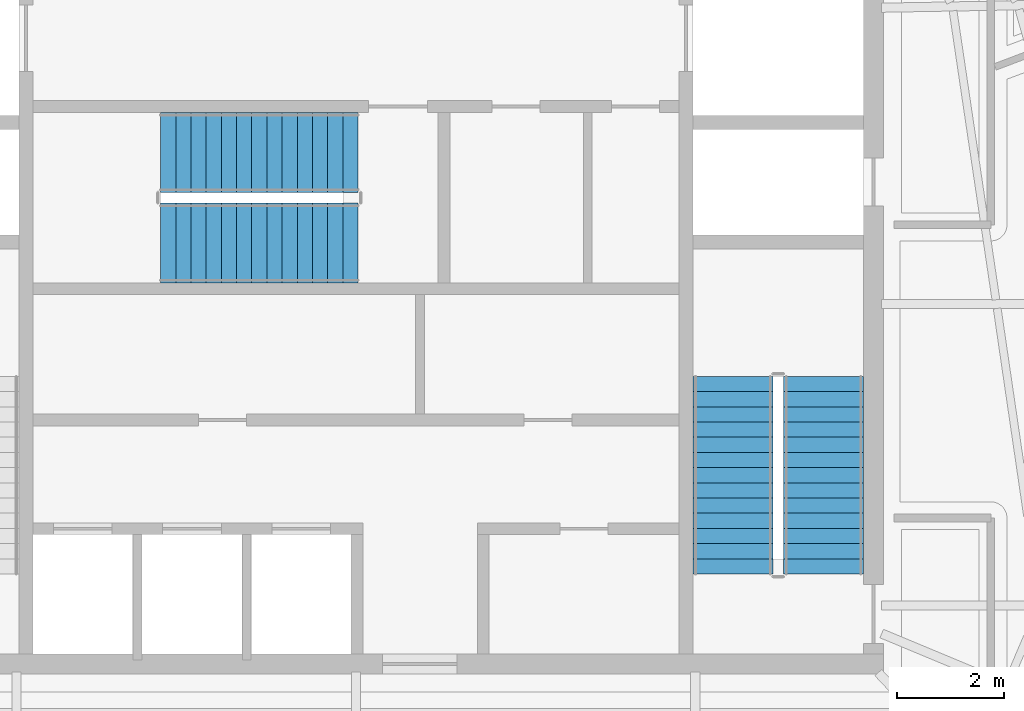
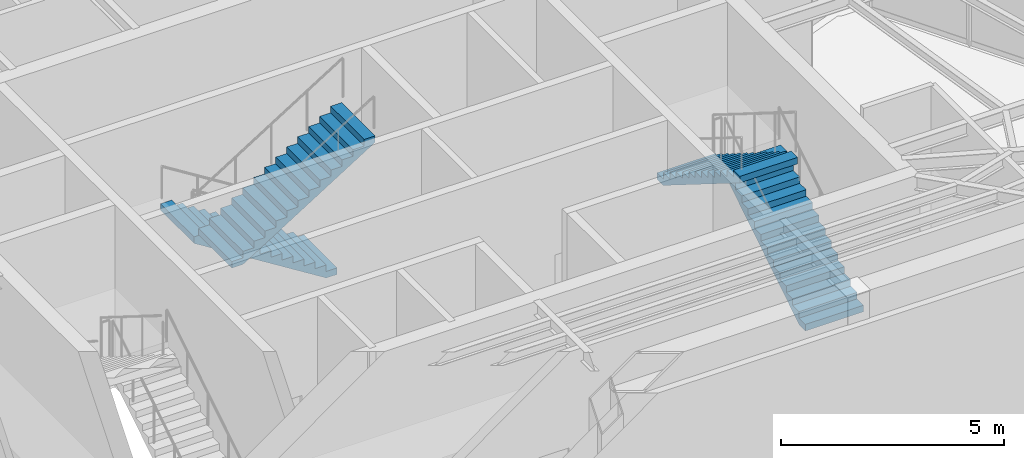
# One storey, part 11 of 15: 4 stair flights, 2 elements without a shape of their own.
"""IFC4 building model written with IfcOpenShell, lengths in metres."""

from ifc_helpers import new_model, si_unit, direction, frame, origin, place, context, subcontext, project, spatial, polyline, outline, extrude, material, type_object, element, aggregate, save


model = new_model("IFC4")

# Units and contexts
model_context = context("Model", 3, precision=1e-05, world=origin(), true_north=direction((0.0, 1.0)))
body_context = subcontext(model_context, "Body", "Model", "MODEL_VIEW")
ifc_project = project(units=[si_unit("LENGTHUNIT", "METRE"), si_unit("AREAUNIT", "SQUARE_METRE"), si_unit("VOLUMEUNIT", "CUBIC_METRE"), si_unit("PLANEANGLEUNIT", "RADIAN"), si_unit("MASSUNIT", "GRAM", prefix="KILO")], contexts=[model_context])

# Site, building, storey
site_placement = place(None, origin())
site = spatial("IfcSite", under=ifc_project, at=site_placement, CompositionType="ELEMENT")
building_placement = place(site_placement, origin())
building = spatial("IfcBuilding", under=site, at=building_placement, Name="Kavelnor Concourse Tower", CompositionType="ELEMENT")
storey_placement = place(building_placement, frame((0.0, 0.0, 304.949951171875)))
storey = spatial("IfcBuildingStorey", under=building, at=storey_placement, Name="L77", CompositionType="ELEMENT", Elevation=304.949951171875)

# Stair, stair flights
ifc_material = material(Name="Concrete C40/50", Category="concrete")
stair_type = type_object("IfcStairType", Name="STR-CORE-1500", PredefinedType="HALF_TURN_STAIR", material=ifc_material)
stair_1_placement = place(storey_placement, origin())
stair_1 = element("IfcStair", 1, at=stair_1_placement, inside=storey, type_object=stair_type, Name="L77 ST2", PredefinedType="HALF_TURN_STAIR")
stair_flight_type = type_object("IfcStairFlightType", Name="STR-FLIGHT-1500", PredefinedType="STRAIGHT", material=ifc_material)
stair_flight_1_placement = place(storey_placement, frame((46.77001953125, 11.10009765625, 0.0), z_axis=(0.0, 0.0, 1.0), x_axis=(0.0, 1.0, 0.0)))
stair_flight_1 = element("IfcStairFlight", 2, at=stair_flight_1_placement, type_object=stair_flight_type, Name="ST2 flight 1", NumberOfRisers=14, NumberOfTreads=13, PredefinedType="STRAIGHT", RiserHeight=0.178571429, TreadLength=0.285, context=body_context, shape_type="SweptSolid", body=[
    extrude(outline(polyline([(0.0, 0.0), (0.0, 0.178466796875), (0.284912109375, 0.178466796875), (0.284912109375, 0.357177734375), (0.570068359375, 0.357177734375), (0.570068359375, 0.53564453125), (0.85498046875, 0.53564453125), (0.85498046875, 0.71435546875), (1.139892578125, 0.71435546875), (1.139892578125, 0.892822265625), (1.425048828125, 0.892822265625), (1.425048828125, 1.071533203125), (1.7099609375, 1.071533203125), (1.7099609375, 1.25), (1.9951171875, 1.25), (1.9951171875, 1.428466796875), (2.280029296875, 1.428466796875), (2.280029296875, 1.607177734375), (2.56494140625, 1.607177734375), (2.56494140625, 1.78564453125), (2.85009765625, 1.78564453125), (2.85009765625, 1.96435546875), (3.135009765625, 1.96435546875), (3.135009765625, 2.142822265625), (3.419921875, 2.142822265625), (3.419921875, 2.321533203125), (3.705078125, 2.321533203125), (3.705078125, 2.5), (3.705078125, 2.14453125), (0.2822265625, 0.0), (0.0, 0.0)])), frame((0.0, 0.75, 0.0), z_axis=(0.0, -1.0, 0.0), x_axis=(1.0, 0.0, 0.0)), (0.0, 0.0, 1.0), 1.5),
])
stair_flight_2_placement = place(storey_placement, frame((45.070068359375, 14.804931640625, 2.5), z_axis=(0.0, 0.0, 1.0), x_axis=(0.0, -1.0, 0.0)))
stair_flight_2 = element("IfcStairFlight", 3, at=stair_flight_2_placement, type_object=stair_flight_type, Name="ST2 flight 2", NumberOfRisers=14, NumberOfTreads=13, PredefinedType="STRAIGHT", RiserHeight=0.178571429, TreadLength=0.285, context=body_context, shape_type="SweptSolid", body=[
    extrude(outline(polyline([(0.0, 0.0), (0.0, 0.178466796875), (0.284912109375, 0.178466796875), (0.284912109375, 0.357177734375), (0.570068359375, 0.357177734375), (0.570068359375, 0.53564453125), (0.85498046875, 0.53564453125), (0.85498046875, 0.71435546875), (1.139892578125, 0.71435546875), (1.139892578125, 0.892822265625), (1.425048828125, 0.892822265625), (1.425048828125, 1.071533203125), (1.7099609375, 1.071533203125), (1.7099609375, 1.25), (1.9951171875, 1.25), (1.9951171875, 1.428466796875), (2.280029296875, 1.428466796875), (2.280029296875, 1.607177734375), (2.56494140625, 1.607177734375), (2.56494140625, 1.78564453125), (2.85009765625, 1.78564453125), (2.85009765625, 1.96435546875), (3.135009765625, 1.96435546875), (3.135009765625, 2.142822265625), (3.419921875, 2.142822265625), (3.419921875, 2.321533203125), (3.705078125, 2.321533203125), (3.705078125, 2.5), (3.705078125, 2.14453125), (0.2822265625, 0.0), (0.0, 0.0)])), frame((0.0, 0.75, 0.0), z_axis=(0.0, -1.0, 0.0), x_axis=(1.0, 0.0, 0.0)), (0.0, 0.0, 1.0), 1.5),
])
aggregate(stair_1, [stair_flight_1, stair_flight_2])

stair_2_placement = place(storey_placement, origin())
stair_2 = element("IfcStair", 4, at=stair_2_placement, inside=storey, type_object=stair_type, Name="L77 ST3", PredefinedType="HALF_TURN_STAIR")
stair_flight_3_placement = place(storey_placement, frame((38.0400390625, 19.010009765625, 0.0), z_axis=(0.0, 0.0, 1.0), x_axis=(-1.0, 0.0, 0.0)))
stair_flight_3 = element("IfcStairFlight", 5, at=stair_flight_3_placement, type_object=stair_flight_type, Name="ST3 flight 1", NumberOfRisers=14, NumberOfTreads=13, PredefinedType="STRAIGHT", RiserHeight=0.178571429, TreadLength=0.285, context=body_context, shape_type="SweptSolid", body=[
    extrude(outline(polyline([(0.0, 0.0), (0.0, 0.178466796875), (0.284912109375, 0.178466796875), (0.284912109375, 0.357177734375), (0.570068359375, 0.357177734375), (0.570068359375, 0.53564453125), (0.85498046875, 0.53564453125), (0.85498046875, 0.71435546875), (1.139892578125, 0.71435546875), (1.139892578125, 0.892822265625), (1.425048828125, 0.892822265625), (1.425048828125, 1.071533203125), (1.7099609375, 1.071533203125), (1.7099609375, 1.25), (1.9951171875, 1.25), (1.9951171875, 1.428466796875), (2.280029296875, 1.428466796875), (2.280029296875, 1.607177734375), (2.56494140625, 1.607177734375), (2.56494140625, 1.78564453125), (2.85009765625, 1.78564453125), (2.85009765625, 1.96435546875), (3.135009765625, 1.96435546875), (3.135009765625, 2.142822265625), (3.419921875, 2.142822265625), (3.419921875, 2.321533203125), (3.705078125, 2.321533203125), (3.705078125, 2.5), (3.705078125, 2.14453125), (0.2822265625, 0.0), (0.0, 0.0)])), frame((0.0, 0.75, 0.0), z_axis=(0.0, -1.0, 0.0), x_axis=(1.0, 0.0, 0.0)), (0.0, 0.0, 1.0), 1.5),
])
stair_flight_4_placement = place(storey_placement, frame((34.3349609375, 17.31005859375, 2.5), z_axis=(0.0, 0.0, 1.0), x_axis=(1.0, 0.0, 0.0)))
stair_flight_4 = element("IfcStairFlight", 6, at=stair_flight_4_placement, type_object=stair_flight_type, Name="ST3 flight 2", NumberOfRisers=14, NumberOfTreads=13, PredefinedType="STRAIGHT", RiserHeight=0.178571429, TreadLength=0.285, context=body_context, shape_type="SweptSolid", body=[
    extrude(outline(polyline([(0.0, 0.0), (0.0, 0.178466796875), (0.284912109375, 0.178466796875), (0.284912109375, 0.357177734375), (0.570068359375, 0.357177734375), (0.570068359375, 0.53564453125), (0.85498046875, 0.53564453125), (0.85498046875, 0.71435546875), (1.139892578125, 0.71435546875), (1.139892578125, 0.892822265625), (1.425048828125, 0.892822265625), (1.425048828125, 1.071533203125), (1.7099609375, 1.071533203125), (1.7099609375, 1.25), (1.9951171875, 1.25), (1.9951171875, 1.428466796875), (2.280029296875, 1.428466796875), (2.280029296875, 1.607177734375), (2.56494140625, 1.607177734375), (2.56494140625, 1.78564453125), (2.85009765625, 1.78564453125), (2.85009765625, 1.96435546875), (3.135009765625, 1.96435546875), (3.135009765625, 2.142822265625), (3.419921875, 2.142822265625), (3.419921875, 2.321533203125), (3.705078125, 2.321533203125), (3.705078125, 2.5), (3.705078125, 2.14453125), (0.2822265625, 0.0), (0.0, 0.0)])), frame((0.0, 0.75, 0.0), z_axis=(0.0, -1.0, 0.0), x_axis=(1.0, 0.0, 0.0)), (0.0, 0.0, 1.0), 1.5),
])
aggregate(stair_2, [stair_flight_3, stair_flight_4])

save(model, "model.ifc")
